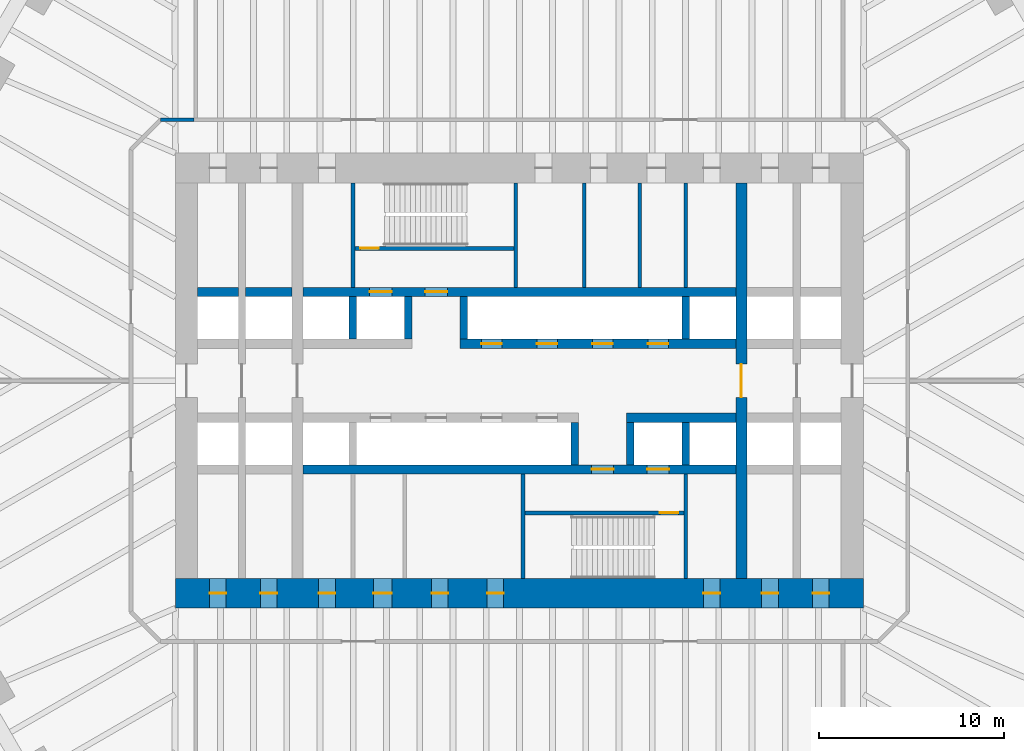
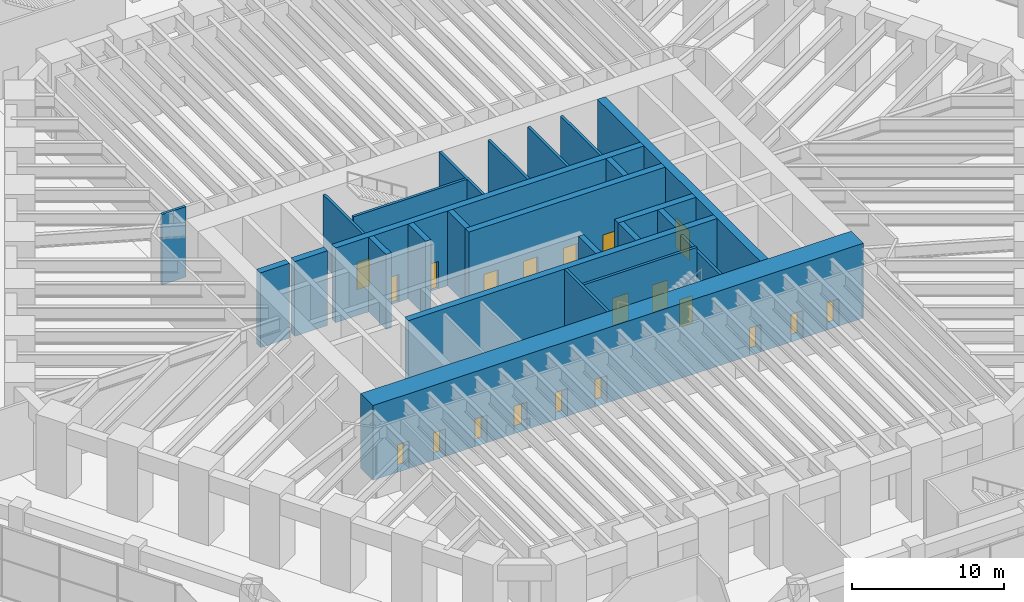
# One storey, part 27 of 31: 25 walls, 20 doors, 20 openings.
"""IFC4 building model written with IfcOpenShell, lengths in metres."""

from ifc_helpers import new_model, si_unit, direction, frame, frame_2d, origin, place, context, subcontext, project, spatial, rectangle, extrude, material, layer, layer_set, type_object, element, fill, save


model = new_model("IFC4")

# Units and contexts
model_context = context("Model", 3, precision=1e-05, world=origin(), true_north=direction((0.0, 1.0)))
body_context = subcontext(model_context, "Body", "Model", "MODEL_VIEW")
ifc_project = project(units=[si_unit("LENGTHUNIT", "METRE"), si_unit("AREAUNIT", "SQUARE_METRE"), si_unit("VOLUMEUNIT", "CUBIC_METRE"), si_unit("PLANEANGLEUNIT", "RADIAN"), si_unit("MASSUNIT", "GRAM", prefix="KILO")], contexts=[model_context])

# Site, building, storey
site_placement = place(None, origin())
site = spatial("IfcSite", under=ifc_project, at=site_placement, CompositionType="ELEMENT")
building_placement = place(site_placement, origin())
building = spatial("IfcBuilding", under=site, at=building_placement, Name="Tarfa Lantern Tower", CompositionType="ELEMENT")
storey_placement = place(building_placement, frame((0.0, 0.0, 7.0)))
storey = spatial("IfcBuildingStorey", under=building, at=storey_placement, Name="L01", CompositionType="ELEMENT", Elevation=7.0)

# Walls
ifc_material_1 = material(Name="Concrete blockwork", Category="masonry")
ifc_layer_1 = layer(ifc_material_1, 0.199951171875)
ifc_layer_set_1 = layer_set([ifc_layer_1], Name="IW1 BLOCKWORK PARTITION 200 EI 120")
wall_type_1 = type_object("IfcWallType", Name="IW1 BLOCKWORK PARTITION 200 EI 120", PredefinedType="PARTITIONING", material=ifc_layer_set_1)
for number, where, z_axis, x_axis, name in (
    (1, (-9.0, 5.050048828125, 0.0), (0.0, 0.0, 1.0), (0.0, 1.0, 0.0), "Core partition"),
    (2, (9.0, 5.050048828125, 0.0), (0.0, 0.0, 1.0), (0.0, 1.0, 0.0), "Core partition"),
    (3, (3.5, 5.050048828125, 0.0), (0.0, 0.0, 1.0), (0.0, 1.0, 0.0), "Core partition"),
    (4, (6.5, 5.050048828125, 0.0), (0.0, 0.0, 1.0), (0.0, 1.0, 0.0), "Core partition"),
    (5, (9.0, -5.050048828125, 0.0), (0.0, 0.0, 1.0), (0.0, -1.0, 0.0), "Core partition"),
):
    element("IfcWall", number, at=place(storey_placement, frame(where, z_axis=z_axis, x_axis=x_axis)), inside=storey, type_object=wall_type_1, Name=name, PredefinedType="PARTITIONING", context=body_context, shape_type="SweptSolid", body=[
        extrude(rectangle(XDim=5.64990234375, YDim=0.199951171875, at=frame_2d((2.824951171875, 0.0))), origin(), (0.0, 0.0, 1.0), 5.64990234375),
    ])
ifc_material_2 = material(Name="Gypsum board on steel studs", Category="steel")
ifc_layer_2 = layer(ifc_material_2, 0.2099609375)
ifc_layer_set_2 = layer_set([ifc_layer_2], Name="IW2 ACOUSTIC PARTITION 200")
wall_type_2 = type_object("IfcWallType", Name="IW2 ACOUSTIC PARTITION 200", PredefinedType="PARTITIONING", material=ifc_layer_set_2)
wall_1_placement = place(storey_placement, frame((-19.39990234375, 14.10009765625, 0.0), z_axis=(0.0, 0.0, 1.0), x_axis=(1.0, 0.0, 0.0)))
element("IfcWall", 6, at=wall_1_placement, inside=storey, type_object=wall_type_2, Name="Partition", PredefinedType="PARTITIONING", context=body_context, shape_type="SweptSolid", body=[
    extrude(rectangle(XDim=1.7998046875, YDim=0.199951171875, at=frame_2d((0.89990234375, 0.0))), origin(), (0.0, 0.0, 1.0), 5.64990234375),
])
ifc_material_3 = material(Name="Concrete C80/95", Category="concrete")
ifc_layer_3 = layer(ifc_material_3, 0.199951171875)
ifc_layer_set_3 = layer_set([ifc_layer_3], Name="SW12 CORE WALL 200")
wall_type_3 = type_object("IfcWallType", Name="SW12 CORE WALL 200", PredefinedType="SHEAR", material=ifc_layer_set_3)
wall_2_placement = place(storey_placement, frame((-0.199951171875, 5.050048828125, 0.0), z_axis=(0.0, 0.0, 1.0), x_axis=(0.0, 1.0, 0.0)))
element("IfcWall", 7, at=wall_2_placement, inside=storey, type_object=wall_type_3, Name="Core wall stair shaft N", PredefinedType="SHEAR", context=body_context, shape_type="SweptSolid", body=[
    extrude(rectangle(XDim=5.64990234375, YDim=0.199951171875, at=frame_2d((2.824951171875, 0.0))), origin(), (0.0, 0.0, 1.0), 6.0),
])

# Wall, opening, door
wall_3_placement = place(storey_placement, frame((-8.89990234375, 7.14990234375, 0.0), z_axis=(0.0, 0.0, 1.0), x_axis=(1.0, 0.0, 0.0)))
wall_3 = element("IfcWall", 8, at=wall_3_placement, inside=storey, type_object=wall_type_3, Name="Core wall stair partition N", PredefinedType="SHEAR", context=body_context, shape_type="SweptSolid", body=[
    extrude(rectangle(XDim=8.599853515625, YDim=0.199951171875, at=frame_2d((4.2998046875, 0.0))), origin(), (0.0, 0.0, 1.0), 6.0),
])
opening_1_placement = place(wall_3_placement, frame((0.300048828125, 0.0, 0.0)))
opening_1 = element("IfcOpeningElement", 9, at=opening_1_placement, cuts=wall_3, Name="Opening D23", PredefinedType="OPENING", context=body_context, shape_type="SweptSolid", body=[
    extrude(rectangle(XDim=1.0, YDim=2.199951171875, at=frame_2d((0.5, 1.10009765625))), frame((0.0, 0.10986328125, 0.0), z_axis=(0.0, -1.0, 0.0), x_axis=(1.0, 0.0, 0.0)), (0.0, 0.0, 1.0), 0.219970703125),
])
ifc_material_4 = material(Name="Steel fire door", Category="steel")
door_type_1 = type_object("IfcDoorType", Name="DF2 STAIR DOOR 1000x2200", OperationType="SINGLE_SWING_LEFT", PredefinedType="DOOR", material=ifc_material_4)
door_1_placement = place(opening_1_placement, origin())
door_1 = element("IfcDoor", 10, at=door_1_placement, inside=storey, type_object=door_type_1, Name="Stair door", OperationType="SINGLE_SWING_RIGHT", OverallHeight=2.199951171875, OverallWidth=1.0, PredefinedType="DOOR", context=body_context, shape_type="SweptSolid", body=[
    extrude(rectangle(XDim=1.0, YDim=2.199951171875, at=frame_2d((0.5, 1.10009765625))), frame((0.0, 0.02490234375, 0.0), z_axis=(0.0, -1.0, 0.0), x_axis=(1.0, 0.0, 0.0)), (0.0, 0.0, 1.0), 0.050048828125),
])
fill(opening_1, door_1)

# Wall
wall_4_placement = place(storey_placement, frame((0.199951171875, -5.050048828125, 0.0), z_axis=(0.0, 0.0, 1.0), x_axis=(0.0, -1.0, 0.0)))
element("IfcWall", 11, at=wall_4_placement, inside=storey, type_object=wall_type_3, Name="Core wall stair shaft S", PredefinedType="SHEAR", context=body_context, shape_type="SweptSolid", body=[
    extrude(rectangle(XDim=5.64990234375, YDim=0.199951171875, at=frame_2d((2.824951171875, 0.0))), origin(), (0.0, 0.0, 1.0), 6.0),
])

# Wall, opening, door
wall_5_placement = place(storey_placement, frame((8.89990234375, -7.14990234375, 0.0), z_axis=(0.0, 0.0, 1.0), x_axis=(-1.0, 0.0, 0.0)))
wall_5 = element("IfcWall", 12, at=wall_5_placement, inside=storey, type_object=wall_type_3, Name="Core wall stair partition S", PredefinedType="SHEAR", context=body_context, shape_type="SweptSolid", body=[
    extrude(rectangle(XDim=8.599853515625, YDim=0.199951171875, at=frame_2d((4.2998046875, 0.0))), origin(), (0.0, 0.0, 1.0), 6.0),
])
opening_2_placement = place(wall_5_placement, frame((0.300048828125, 0.0, 0.0)))
opening_2 = element("IfcOpeningElement", 13, at=opening_2_placement, cuts=wall_5, Name="Opening D24", PredefinedType="OPENING", context=body_context, shape_type="SweptSolid", body=[
    extrude(rectangle(XDim=1.0, YDim=2.199951171875, at=frame_2d((0.5, 1.10009765625))), frame((0.0, 0.10986328125, 0.0), z_axis=(0.0, -1.0, 0.0), x_axis=(1.0, 0.0, 0.0)), (0.0, 0.0, 1.0), 0.219970703125),
])
door_2_placement = place(opening_2_placement, origin())
door_2 = element("IfcDoor", 14, at=door_2_placement, inside=storey, type_object=door_type_1, Name="Stair door", OperationType="SINGLE_SWING_RIGHT", OverallHeight=2.199951171875, OverallWidth=1.0, PredefinedType="DOOR", context=body_context, shape_type="SweptSolid", body=[
    extrude(rectangle(XDim=1.0, YDim=2.199951171875, at=frame_2d((0.5, 1.10009765625))), frame((0.0, 0.02490234375, 0.0), z_axis=(0.0, -1.0, 0.0), x_axis=(1.0, 0.0, 0.0)), (0.0, 0.0, 1.0), 0.050048828125),
])
fill(opening_2, door_2)

# Wall, openings, doors
ifc_layer_4 = layer(ifc_material_3, 0.5)
ifc_layer_set_4 = layer_set([ifc_layer_4], Name="SW5 CORE WALL 500")
wall_type_4 = type_object("IfcWallType", Name="SW5 CORE WALL 500", PredefinedType="SHEAR", material=ifc_layer_set_4)
wall_6_placement = place(storey_placement, frame((-3.199951171875, 2.0, 0.0), z_axis=(0.0, 0.0, 1.0), x_axis=(1.0, 0.0, 0.0)))
wall_6 = element("IfcWall", 15, at=wall_6_placement, inside=storey, type_object=wall_type_4, Name="Core wall lobby east N", PredefinedType="SHEAR", context=body_context, shape_type="SweptSolid", body=[
    extrude(rectangle(XDim=14.89990234375, YDim=0.5, at=frame_2d((7.449951171875, 0.0))), origin(), (0.0, 0.0, 1.0), 6.0),
])
opening_3_placement = place(wall_6_placement, frame((1.14990234375, 0.0, 0.0)))
opening_3 = element("IfcOpeningElement", 16, at=opening_3_placement, cuts=wall_6, Name="Opening LD03", PredefinedType="OPENING", context=body_context, shape_type="SweptSolid", body=[
    extrude(rectangle(XDim=1.10009765625, YDim=2.199951171875, at=frame_2d((0.550048828125, 1.10009765625))), frame((0.0, 0.260009765625, 0.0), z_axis=(0.0, -1.0, 0.0), x_axis=(1.0, 0.0, 0.0)), (0.0, 0.0, 1.0), 0.52001953125),
])
opening_4_placement = place(wall_6_placement, frame((4.14990234375, 0.0, 0.0)))
opening_4 = element("IfcOpeningElement", 17, at=opening_4_placement, cuts=wall_6, Name="Opening LD04", PredefinedType="OPENING", context=body_context, shape_type="SweptSolid", body=[
    extrude(rectangle(XDim=1.10009765625, YDim=2.199951171875, at=frame_2d((0.550048828125, 1.10009765625))), frame((0.0, 0.260009765625, 0.0), z_axis=(0.0, -1.0, 0.0), x_axis=(1.0, 0.0, 0.0)), (0.0, 0.0, 1.0), 0.52001953125),
])
opening_5_placement = place(wall_6_placement, frame((7.14990234375, 0.0, 0.0)))
opening_5 = element("IfcOpeningElement", 18, at=opening_5_placement, cuts=wall_6, Name="Opening LD05", PredefinedType="OPENING", context=body_context, shape_type="SweptSolid", body=[
    extrude(rectangle(XDim=1.10009765625, YDim=2.199951171875, at=frame_2d((0.550048828125, 1.10009765625))), frame((0.0, 0.260009765625, 0.0), z_axis=(0.0, -1.0, 0.0), x_axis=(1.0, 0.0, 0.0)), (0.0, 0.0, 1.0), 0.52001953125),
])
opening_6_placement = place(wall_6_placement, frame((10.14990234375, 0.0, 0.0)))
opening_6 = element("IfcOpeningElement", 19, at=opening_6_placement, cuts=wall_6, Name="Opening LD06", PredefinedType="OPENING", context=body_context, shape_type="SweptSolid", body=[
    extrude(rectangle(XDim=1.10009765625, YDim=2.199951171875, at=frame_2d((0.550048828125, 1.10009765625))), frame((0.0, 0.260009765625, 0.0), z_axis=(0.0, -1.0, 0.0), x_axis=(1.0, 0.0, 0.0)), (0.0, 0.0, 1.0), 0.52001953125),
])
ifc_material_5 = material(Name="Stainless steel lift door", Category="steel")
door_type_2 = type_object("IfcDoorType", Name="LD2 LIFT LANDING DOOR 1100x2200", OperationType="SLIDING_TO_LEFT", PredefinedType="DOOR", material=ifc_material_5)
door_3_placement = place(opening_3_placement, frame((1.10009765625, 0.0, 0.0), z_axis=(0.0, 0.0, 1.0), x_axis=(-1.0, 0.0, 0.0)))
door_3 = element("IfcDoor", 20, at=door_3_placement, inside=storey, type_object=door_type_2, Name="Landing door PA1", OperationType="SLIDING_TO_LEFT", OverallHeight=2.199951171875, OverallWidth=1.10009765625, PredefinedType="DOOR", context=body_context, shape_type="SweptSolid", body=[
    extrude(rectangle(XDim=1.10009765625, YDim=2.199951171875, at=frame_2d((0.550048828125, 1.10009765625))), frame((0.0, 0.02490234375, 0.0), z_axis=(0.0, -1.0, 0.0), x_axis=(1.0, 0.0, 0.0)), (0.0, 0.0, 1.0), 0.050048828125),
])
fill(opening_3, door_3)
door_4_placement = place(opening_4_placement, frame((1.10009765625, 0.0, 0.0), z_axis=(0.0, 0.0, 1.0), x_axis=(-1.0, 0.0, 0.0)))
door_4 = element("IfcDoor", 21, at=door_4_placement, inside=storey, type_object=door_type_2, Name="Landing door PA2", OperationType="SLIDING_TO_LEFT", OverallHeight=2.199951171875, OverallWidth=1.10009765625, PredefinedType="DOOR", context=body_context, shape_type="SweptSolid", body=[
    extrude(rectangle(XDim=1.10009765625, YDim=2.199951171875, at=frame_2d((0.550048828125, 1.10009765625))), frame((0.0, 0.02490234375, 0.0), z_axis=(0.0, -1.0, 0.0), x_axis=(1.0, 0.0, 0.0)), (0.0, 0.0, 1.0), 0.050048828125),
])
fill(opening_4, door_4)
door_5_placement = place(opening_5_placement, frame((1.10009765625, 0.0, 0.0), z_axis=(0.0, 0.0, 1.0), x_axis=(-1.0, 0.0, 0.0)))
door_5 = element("IfcDoor", 22, at=door_5_placement, inside=storey, type_object=door_type_2, Name="Landing door PA3", OperationType="SLIDING_TO_LEFT", OverallHeight=2.199951171875, OverallWidth=1.10009765625, PredefinedType="DOOR", context=body_context, shape_type="SweptSolid", body=[
    extrude(rectangle(XDim=1.10009765625, YDim=2.199951171875, at=frame_2d((0.550048828125, 1.10009765625))), frame((0.0, 0.02490234375, 0.0), z_axis=(0.0, -1.0, 0.0), x_axis=(1.0, 0.0, 0.0)), (0.0, 0.0, 1.0), 0.050048828125),
])
fill(opening_5, door_5)
door_6_placement = place(opening_6_placement, frame((1.10009765625, 0.0, 0.0), z_axis=(0.0, 0.0, 1.0), x_axis=(-1.0, 0.0, 0.0)))
door_6 = element("IfcDoor", 23, at=door_6_placement, inside=storey, type_object=door_type_2, Name="Landing door PA4", OperationType="SLIDING_TO_LEFT", OverallHeight=2.199951171875, OverallWidth=1.10009765625, PredefinedType="DOOR", context=body_context, shape_type="SweptSolid", body=[
    extrude(rectangle(XDim=1.10009765625, YDim=2.199951171875, at=frame_2d((0.550048828125, 1.10009765625))), frame((0.0, 0.02490234375, 0.0), z_axis=(0.0, -1.0, 0.0), x_axis=(1.0, 0.0, 0.0)), (0.0, 0.0, 1.0), 0.050048828125),
])
fill(opening_6, door_6)

# Walls
wall_7_placement = place(storey_placement, frame((-17.39990234375, 4.800048828125, 0.0), z_axis=(0.0, 0.0, 1.0), x_axis=(1.0, 0.0, 0.0)))
element("IfcWall", 24, at=wall_7_placement, inside=storey, type_object=wall_type_4, Name="Core wall rear N", PredefinedType="SHEAR", context=body_context, shape_type="SweptSolid", body=[
    extrude(rectangle(XDim=2.199951171875, YDim=0.5, at=frame_2d((1.10009765625, 0.0))), origin(), (0.0, 0.0, 1.0), 6.0),
])
wall_8_placement = place(storey_placement, frame((-14.800048828125, 4.800048828125, 0.0), z_axis=(0.0, 0.0, 1.0), x_axis=(1.0, 0.0, 0.0)))
element("IfcWall", 25, at=wall_8_placement, inside=storey, type_object=wall_type_4, Name="Core wall rear N", PredefinedType="SHEAR", context=body_context, shape_type="SweptSolid", body=[
    extrude(rectangle(XDim=2.5, YDim=0.5, at=frame_2d((1.25, 0.0))), origin(), (0.0, 0.0, 1.0), 6.0),
])

# Wall, openings, doors
wall_9_placement = place(storey_placement, frame((-11.699951171875, 4.800048828125, 0.0), z_axis=(0.0, 0.0, 1.0), x_axis=(1.0, 0.0, 0.0)))
wall_9 = element("IfcWall", 26, at=wall_9_placement, inside=storey, type_object=wall_type_4, Name="Core wall rear N", PredefinedType="SHEAR", context=body_context, shape_type="SweptSolid", body=[
    extrude(rectangle(XDim=23.39990234375, YDim=0.5, at=frame_2d((11.699951171875, 0.0))), origin(), (0.0, 0.0, 1.0), 6.0),
])
opening_7_placement = place(wall_9_placement, frame((6.60009765625, 0.0, 0.0)))
opening_7 = element("IfcOpeningElement", 27, at=opening_7_placement, cuts=wall_9, Name="Opening D13", PredefinedType="OPENING", context=body_context, shape_type="SweptSolid", body=[
    extrude(rectangle(XDim=1.199951171875, YDim=2.199951171875, at=frame_2d((0.60009765625, 1.10009765625))), frame((0.0, 0.260009765625, 0.0), z_axis=(0.0, -1.0, 0.0), x_axis=(1.0, 0.0, 0.0)), (0.0, 0.0, 1.0), 0.52001953125),
])
opening_8_placement = place(wall_9_placement, frame((3.60009765625, 0.0, 0.0)))
opening_8 = element("IfcOpeningElement", 28, at=opening_8_placement, cuts=wall_9, Name="Opening LD01", PredefinedType="OPENING", context=body_context, shape_type="SweptSolid", body=[
    extrude(rectangle(XDim=1.199951171875, YDim=2.199951171875, at=frame_2d((0.60009765625, 1.10009765625))), frame((0.0, 0.260009765625, 0.0), z_axis=(0.0, -1.0, 0.0), x_axis=(1.0, 0.0, 0.0)), (0.0, 0.0, 1.0), 0.52001953125),
])
door_type_3 = type_object("IfcDoorType", Name="DF1 FIREFIGHTING LOBBY DOOR 1200x2200", OperationType="SINGLE_SWING_LEFT", PredefinedType="DOOR", material=ifc_material_4)
door_7_placement = place(opening_7_placement, origin())
door_7 = element("IfcDoor", 29, at=door_7_placement, inside=storey, type_object=door_type_3, Name="Firefighting lobby door", OperationType="SINGLE_SWING_LEFT", OverallHeight=2.199951171875, OverallWidth=1.199951171875, PredefinedType="DOOR", context=body_context, shape_type="SweptSolid", body=[
    extrude(rectangle(XDim=1.199951171875, YDim=2.199951171875, at=frame_2d((0.60009765625, 1.10009765625))), frame((0.0, 0.02490234375, 0.0), z_axis=(0.0, -1.0, 0.0), x_axis=(1.0, 0.0, 0.0)), (0.0, 0.0, 1.0), 0.050048828125),
])
fill(opening_7, door_7)
door_type_4 = type_object("IfcDoorType", Name="LD1 LIFT LANDING DOOR 1200x2200", OperationType="SLIDING_TO_LEFT", PredefinedType="DOOR", material=ifc_material_5)
door_8_placement = place(opening_8_placement, origin())
door_8 = element("IfcDoor", 30, at=door_8_placement, inside=storey, type_object=door_type_4, Name="Landing door FL1", OperationType="SLIDING_TO_LEFT", OverallHeight=2.199951171875, OverallWidth=1.199951171875, PredefinedType="DOOR", context=body_context, shape_type="SweptSolid", body=[
    extrude(rectangle(XDim=1.199951171875, YDim=2.199951171875, at=frame_2d((0.60009765625, 1.10009765625))), frame((0.0, 0.02490234375, 0.0), z_axis=(0.0, -1.0, 0.0), x_axis=(1.0, 0.0, 0.0)), (0.0, 0.0, 1.0), 0.050048828125),
])
fill(opening_8, door_8)

# Wall
wall_10_placement = place(storey_placement, frame((11.699951171875, -2.0, 0.0), z_axis=(0.0, 0.0, 1.0), x_axis=(-1.0, 0.0, 0.0)))
element("IfcWall", 31, at=wall_10_placement, inside=storey, type_object=wall_type_4, Name="Core wall lobby west S", PredefinedType="SHEAR", context=body_context, shape_type="SweptSolid", body=[
    extrude(rectangle(XDim=5.89990234375, YDim=0.5, at=frame_2d((2.949951171875, 0.0))), origin(), (0.0, 0.0, 1.0), 6.0),
])

# Wall, openings, doors
wall_11_placement = place(storey_placement, frame((11.699951171875, -4.800048828125, 0.0), z_axis=(0.0, 0.0, 1.0), x_axis=(-1.0, 0.0, 0.0)))
wall_11 = element("IfcWall", 32, at=wall_11_placement, inside=storey, type_object=wall_type_4, Name="Core wall rear S", PredefinedType="SHEAR", context=body_context, shape_type="SweptSolid", body=[
    extrude(rectangle(XDim=23.39990234375, YDim=0.5, at=frame_2d((11.699951171875, 0.0))), origin(), (0.0, 0.0, 1.0), 6.0),
])
opening_9_placement = place(wall_11_placement, frame((6.60009765625, 0.0, 0.0)))
opening_9 = element("IfcOpeningElement", 33, at=opening_9_placement, cuts=wall_11, Name="Opening D14", PredefinedType="OPENING", context=body_context, shape_type="SweptSolid", body=[
    extrude(rectangle(XDim=1.199951171875, YDim=2.199951171875, at=frame_2d((0.60009765625, 1.10009765625))), frame((0.0, 0.260009765625, 0.0), z_axis=(0.0, -1.0, 0.0), x_axis=(1.0, 0.0, 0.0)), (0.0, 0.0, 1.0), 0.52001953125),
])
opening_10_placement = place(wall_11_placement, frame((3.60009765625, 0.0, 0.0)))
opening_10 = element("IfcOpeningElement", 34, at=opening_10_placement, cuts=wall_11, Name="Opening LD02", PredefinedType="OPENING", context=body_context, shape_type="SweptSolid", body=[
    extrude(rectangle(XDim=1.199951171875, YDim=2.199951171875, at=frame_2d((0.60009765625, 1.10009765625))), frame((0.0, 0.260009765625, 0.0), z_axis=(0.0, -1.0, 0.0), x_axis=(1.0, 0.0, 0.0)), (0.0, 0.0, 1.0), 0.52001953125),
])
door_9_placement = place(opening_9_placement, origin())
door_9 = element("IfcDoor", 35, at=door_9_placement, inside=storey, type_object=door_type_3, Name="Firefighting lobby door", OperationType="SINGLE_SWING_LEFT", OverallHeight=2.199951171875, OverallWidth=1.199951171875, PredefinedType="DOOR", context=body_context, shape_type="SweptSolid", body=[
    extrude(rectangle(XDim=1.199951171875, YDim=2.199951171875, at=frame_2d((0.60009765625, 1.10009765625))), frame((0.0, 0.02490234375, 0.0), z_axis=(0.0, -1.0, 0.0), x_axis=(1.0, 0.0, 0.0)), (0.0, 0.0, 1.0), 0.050048828125),
])
fill(opening_9, door_9)
door_10_placement = place(opening_10_placement, origin())
door_10 = element("IfcDoor", 36, at=door_10_placement, inside=storey, type_object=door_type_4, Name="Landing door FL2", OperationType="SLIDING_TO_LEFT", OverallHeight=2.199951171875, OverallWidth=1.199951171875, PredefinedType="DOOR", context=body_context, shape_type="SweptSolid", body=[
    extrude(rectangle(XDim=1.199951171875, YDim=2.199951171875, at=frame_2d((0.60009765625, 1.10009765625))), frame((0.0, 0.02490234375, 0.0), z_axis=(0.0, -1.0, 0.0), x_axis=(1.0, 0.0, 0.0)), (0.0, 0.0, 1.0), 0.050048828125),
])
fill(opening_10, door_10)

# Walls
ifc_layer_5 = layer(ifc_material_3, 0.39990234375)
ifc_layer_set_5 = layer_set([ifc_layer_5], Name="SW6 CORE WALL 400")
wall_type_5 = type_object("IfcWallType", Name="SW6 CORE WALL 400", PredefinedType="SHEAR", material=ifc_layer_set_5)
for number, where, z_axis, x_axis, name in (
    (37, (-9.0, 2.25, 0.0), (0.0, 0.0, 1.0), (0.0, 1.0, 0.0), "Core wall divider N"),
    (38, (-6.0, 2.25, 0.0), (0.0, 0.0, 1.0), (0.0, 1.0, 0.0), "Core wall divider N"),
    (39, (-3.0, 2.25, 0.0), (0.0, 0.0, 1.0), (0.0, 1.0, 0.0), "Core wall divider N"),
    (40, (9.0, 2.25, 0.0), (0.0, 0.0, 1.0), (0.0, 1.0, 0.0), "Core wall divider N"),
    (41, (9.0, -2.25, 0.0), (0.0, 0.0, 1.0), (0.0, -1.0, 0.0), "Core wall divider S"),
    (42, (6.0, -2.25, 0.0), (0.0, 0.0, 1.0), (0.0, -1.0, 0.0), "Core wall divider S"),
    (43, (3.0, -2.25, 0.0), (0.0, 0.0, 1.0), (0.0, -1.0, 0.0), "Core wall divider S"),
):
    element("IfcWall", number, at=place(storey_placement, frame(where, z_axis=z_axis, x_axis=x_axis)), inside=storey, type_object=wall_type_5, Name=name, PredefinedType="SHEAR", context=body_context, shape_type="SweptSolid", body=[
        extrude(rectangle(XDim=2.300048828125, YDim=0.39990234375, at=frame_2d((1.14990234375, 0.0))), origin(), (0.0, 0.0, 1.0), 6.0),
    ])

# Wall, openings, doors
ifc_layer_6 = layer(ifc_material_3, 1.60009765625)
ifc_layer_set_6 = layer_set([ifc_layer_6], Name="SW7 CORE WALL 1600")
wall_type_6 = type_object("IfcWallType", Name="SW7 CORE WALL 1600", PredefinedType="SHEAR", material=ifc_layer_set_6)
wall_12_placement = place(storey_placement, frame((18.60009765625, -11.5, 0.0), z_axis=(0.0, 0.0, 1.0), x_axis=(-1.0, 0.0, 0.0)))
wall_12 = element("IfcWall", 44, at=wall_12_placement, inside=storey, type_object=wall_type_6, Name="Core wall S", PredefinedType="SHEAR", context=body_context, shape_type="SweptSolid", body=[
    extrude(rectangle(XDim=37.2001953125, YDim=1.60009765625, at=frame_2d((18.60009765625, 0.0))), origin(), (0.0, 0.0, 1.0), 6.0),
])
opening_11_placement = place(wall_12_placement, frame((19.449951171875, 0.0, 0.0)))
opening_11 = element("IfcOpeningElement", 45, at=opening_11_placement, cuts=wall_12, Name="Opening D18", PredefinedType="OPENING", context=body_context, shape_type="SweptSolid", body=[
    extrude(rectangle(XDim=0.89990234375, YDim=2.199951171875, at=frame_2d((0.449951171875, 1.10009765625))), frame((0.0, 0.81005859375, 0.0), z_axis=(0.0, -1.0, 0.0), x_axis=(1.0, 0.0, 0.0)), (0.0, 0.0, 1.0), 1.6201171875),
])
opening_12_placement = place(wall_12_placement, frame((22.449951171875, 0.0, 0.0)))
opening_12 = element("IfcOpeningElement", 46, at=opening_12_placement, cuts=wall_12, Name="Opening D20", PredefinedType="OPENING", context=body_context, shape_type="SweptSolid", body=[
    extrude(rectangle(XDim=0.89990234375, YDim=2.199951171875, at=frame_2d((0.449951171875, 1.10009765625))), frame((0.0, 0.81005859375, 0.0), z_axis=(0.0, -1.0, 0.0), x_axis=(1.0, 0.0, 0.0)), (0.0, 0.0, 1.0), 1.6201171875),
])
opening_13_placement = place(wall_12_placement, frame((25.5, 0.0, 0.0)))
opening_13 = element("IfcOpeningElement", 47, at=opening_13_placement, cuts=wall_12, Name="Opening D22", PredefinedType="OPENING", context=body_context, shape_type="SweptSolid", body=[
    extrude(rectangle(XDim=1.0, YDim=2.199951171875, at=frame_2d((0.5, 1.10009765625))), frame((0.0, 0.81005859375, 0.0), z_axis=(0.0, -1.0, 0.0), x_axis=(1.0, 0.0, 0.0)), (0.0, 0.0, 1.0), 1.6201171875),
])
opening_14_placement = place(wall_12_placement, frame((1.85009765625, 0.0, 0.0)))
opening_14 = element("IfcOpeningElement", 48, at=opening_14_placement, cuts=wall_12, Name="Opening D12", PredefinedType="OPENING", context=body_context, shape_type="SweptSolid", body=[
    extrude(rectangle(XDim=0.89990234375, YDim=2.199951171875, at=frame_2d((0.449951171875, 1.10009765625))), frame((0.0, 0.81005859375, 0.0), z_axis=(0.0, -1.0, 0.0), x_axis=(1.0, 0.0, 0.0)), (0.0, 0.0, 1.0), 1.6201171875),
])
opening_15_placement = place(wall_12_placement, frame((4.60009765625, 0.0, 0.0)))
opening_15 = element("IfcOpeningElement", 49, at=opening_15_placement, cuts=wall_12, Name="Opening D08", PredefinedType="OPENING", context=body_context, shape_type="SweptSolid", body=[
    extrude(rectangle(XDim=0.89990234375, YDim=2.199951171875, at=frame_2d((0.449951171875, 1.10009765625))), frame((0.0, 0.81005859375, 0.0), z_axis=(0.0, -1.0, 0.0), x_axis=(1.0, 0.0, 0.0)), (0.0, 0.0, 1.0), 1.6201171875),
])
opening_16_placement = place(wall_12_placement, frame((7.75, 0.0, 0.0)))
opening_16 = element("IfcOpeningElement", 50, at=opening_16_placement, cuts=wall_12, Name="Opening D10", PredefinedType="OPENING", context=body_context, shape_type="SweptSolid", body=[
    extrude(rectangle(XDim=0.89990234375, YDim=2.199951171875, at=frame_2d((0.449951171875, 1.10009765625))), frame((0.0, 0.81005859375, 0.0), z_axis=(0.0, -1.0, 0.0), x_axis=(1.0, 0.0, 0.0)), (0.0, 0.0, 1.0), 1.6201171875),
])
opening_17_placement = place(wall_12_placement, frame((28.550048828125, 0.0, 0.0)))
opening_17 = element("IfcOpeningElement", 51, at=opening_17_placement, cuts=wall_12, Name="Opening D06", PredefinedType="OPENING", context=body_context, shape_type="SweptSolid", body=[
    extrude(rectangle(XDim=0.89990234375, YDim=2.199951171875, at=frame_2d((0.449951171875, 1.10009765625))), frame((0.0, 0.81005859375, 0.0), z_axis=(0.0, -1.0, 0.0), x_axis=(1.0, 0.0, 0.0)), (0.0, 0.0, 1.0), 1.6201171875),
])
opening_18_placement = place(wall_12_placement, frame((31.699951171875, 0.0, 0.0)))
opening_18 = element("IfcOpeningElement", 52, at=opening_18_placement, cuts=wall_12, Name="Opening D02", PredefinedType="OPENING", context=body_context, shape_type="SweptSolid", body=[
    extrude(rectangle(XDim=0.89990234375, YDim=2.199951171875, at=frame_2d((0.449951171875, 1.10009765625))), frame((0.0, 0.81005859375, 0.0), z_axis=(0.0, -1.0, 0.0), x_axis=(1.0, 0.0, 0.0)), (0.0, 0.0, 1.0), 1.6201171875),
])
opening_19_placement = place(wall_12_placement, frame((34.449951171875, 0.0, 0.0)))
opening_19 = element("IfcOpeningElement", 53, at=opening_19_placement, cuts=wall_12, Name="Opening D04", PredefinedType="OPENING", context=body_context, shape_type="SweptSolid", body=[
    extrude(rectangle(XDim=0.89990234375, YDim=2.199951171875, at=frame_2d((0.449951171875, 1.10009765625))), frame((0.0, 0.81005859375, 0.0), z_axis=(0.0, -1.0, 0.0), x_axis=(1.0, 0.0, 0.0)), (0.0, 0.0, 1.0), 1.6201171875),
])
door_type_5 = type_object("IfcDoorType", Name="DF3 CORE ROOM DOOR 900x2200", OperationType="SINGLE_SWING_LEFT", PredefinedType="DOOR", material=ifc_material_4)
door_11_placement = place(opening_11_placement, frame((0.89990234375, 0.0, 0.0), z_axis=(0.0, 0.0, 1.0), x_axis=(-1.0, 0.0, 0.0)))
door_11 = element("IfcDoor", 54, at=door_11_placement, inside=storey, type_object=door_type_5, Name="Core door", OperationType="SINGLE_SWING_LEFT", OverallHeight=2.199951171875, OverallWidth=0.89990234375, PredefinedType="DOOR", context=body_context, shape_type="SweptSolid", body=[
    extrude(rectangle(XDim=0.89990234375, YDim=2.199951171875, at=frame_2d((0.449951171875, 1.10009765625))), frame((0.0, 0.02490234375, 0.0), z_axis=(0.0, -1.0, 0.0), x_axis=(1.0, 0.0, 0.0)), (0.0, 0.0, 1.0), 0.050048828125),
])
fill(opening_11, door_11)
door_12_placement = place(opening_12_placement, frame((0.89990234375, 0.0, 0.0), z_axis=(0.0, 0.0, 1.0), x_axis=(-1.0, 0.0, 0.0)))
door_12 = element("IfcDoor", 55, at=door_12_placement, inside=storey, type_object=door_type_5, Name="Core door", OperationType="SINGLE_SWING_RIGHT", OverallHeight=2.199951171875, OverallWidth=0.89990234375, PredefinedType="DOOR", context=body_context, shape_type="SweptSolid", body=[
    extrude(rectangle(XDim=0.89990234375, YDim=2.199951171875, at=frame_2d((0.449951171875, 1.10009765625))), frame((0.0, 0.02490234375, 0.0), z_axis=(0.0, -1.0, 0.0), x_axis=(1.0, 0.0, 0.0)), (0.0, 0.0, 1.0), 0.050048828125),
])
fill(opening_12, door_12)
door_type_6 = type_object("IfcDoorType", Name="DF4 CORE ROOM DOOR 1000x2200", OperationType="SINGLE_SWING_LEFT", PredefinedType="DOOR", material=ifc_material_4)
door_13_placement = place(opening_13_placement, frame((1.0, 0.0, 0.0), z_axis=(0.0, 0.0, 1.0), x_axis=(-1.0, 0.0, 0.0)))
door_13 = element("IfcDoor", 56, at=door_13_placement, inside=storey, type_object=door_type_6, Name="Core door", OperationType="SINGLE_SWING_LEFT", OverallHeight=2.199951171875, OverallWidth=1.0, PredefinedType="DOOR", context=body_context, shape_type="SweptSolid", body=[
    extrude(rectangle(XDim=1.0, YDim=2.199951171875, at=frame_2d((0.5, 1.10009765625))), frame((0.0, 0.02490234375, 0.0), z_axis=(0.0, -1.0, 0.0), x_axis=(1.0, 0.0, 0.0)), (0.0, 0.0, 1.0), 0.050048828125),
])
fill(opening_13, door_13)
door_type_7 = type_object("IfcDoorType", Name="DF5 RISER DOOR 900x2200", OperationType="SINGLE_SWING_LEFT", PredefinedType="DOOR", material=ifc_material_4)
door_14_placement = place(opening_14_placement, frame((0.89990234375, 0.0, 0.0), z_axis=(0.0, 0.0, 1.0), x_axis=(-1.0, 0.0, 0.0)))
door_14 = element("IfcDoor", 57, at=door_14_placement, inside=storey, type_object=door_type_7, Name="Riser door", OperationType="SINGLE_SWING_LEFT", OverallHeight=2.199951171875, OverallWidth=0.89990234375, PredefinedType="DOOR", context=body_context, shape_type="SweptSolid", body=[
    extrude(rectangle(XDim=0.89990234375, YDim=2.199951171875, at=frame_2d((0.449951171875, 1.10009765625))), frame((0.0, 0.02490234375, 0.0), z_axis=(0.0, -1.0, 0.0), x_axis=(1.0, 0.0, 0.0)), (0.0, 0.0, 1.0), 0.050048828125),
])
fill(opening_14, door_14)
door_15_placement = place(opening_15_placement, frame((0.89990234375, 0.0, 0.0), z_axis=(0.0, 0.0, 1.0), x_axis=(-1.0, 0.0, 0.0)))
door_15 = element("IfcDoor", 58, at=door_15_placement, inside=storey, type_object=door_type_7, Name="Riser door", OperationType="SINGLE_SWING_LEFT", OverallHeight=2.199951171875, OverallWidth=0.89990234375, PredefinedType="DOOR", context=body_context, shape_type="SweptSolid", body=[
    extrude(rectangle(XDim=0.89990234375, YDim=2.199951171875, at=frame_2d((0.449951171875, 1.10009765625))), frame((0.0, 0.02490234375, 0.0), z_axis=(0.0, -1.0, 0.0), x_axis=(1.0, 0.0, 0.0)), (0.0, 0.0, 1.0), 0.050048828125),
])
fill(opening_15, door_15)
door_16_placement = place(opening_16_placement, frame((0.89990234375, 0.0, 0.0), z_axis=(0.0, 0.0, 1.0), x_axis=(-1.0, 0.0, 0.0)))
door_16 = element("IfcDoor", 59, at=door_16_placement, inside=storey, type_object=door_type_7, Name="Riser door", OperationType="SINGLE_SWING_LEFT", OverallHeight=2.199951171875, OverallWidth=0.89990234375, PredefinedType="DOOR", context=body_context, shape_type="SweptSolid", body=[
    extrude(rectangle(XDim=0.89990234375, YDim=2.199951171875, at=frame_2d((0.449951171875, 1.10009765625))), frame((0.0, 0.02490234375, 0.0), z_axis=(0.0, -1.0, 0.0), x_axis=(1.0, 0.0, 0.0)), (0.0, 0.0, 1.0), 0.050048828125),
])
fill(opening_16, door_16)
door_17_placement = place(opening_17_placement, frame((0.89990234375, 0.0, 0.0), z_axis=(0.0, 0.0, 1.0), x_axis=(-1.0, 0.0, 0.0)))
door_17 = element("IfcDoor", 60, at=door_17_placement, inside=storey, type_object=door_type_7, Name="Riser door", OperationType="SINGLE_SWING_RIGHT", OverallHeight=2.199951171875, OverallWidth=0.89990234375, PredefinedType="DOOR", context=body_context, shape_type="SweptSolid", body=[
    extrude(rectangle(XDim=0.89990234375, YDim=2.199951171875, at=frame_2d((0.449951171875, 1.10009765625))), frame((0.0, 0.02490234375, 0.0), z_axis=(0.0, -1.0, 0.0), x_axis=(1.0, 0.0, 0.0)), (0.0, 0.0, 1.0), 0.050048828125),
])
fill(opening_17, door_17)
door_18_placement = place(opening_18_placement, frame((0.89990234375, 0.0, 0.0), z_axis=(0.0, 0.0, 1.0), x_axis=(-1.0, 0.0, 0.0)))
door_18 = element("IfcDoor", 61, at=door_18_placement, inside=storey, type_object=door_type_7, Name="Riser door", OperationType="SINGLE_SWING_RIGHT", OverallHeight=2.199951171875, OverallWidth=0.89990234375, PredefinedType="DOOR", context=body_context, shape_type="SweptSolid", body=[
    extrude(rectangle(XDim=0.89990234375, YDim=2.199951171875, at=frame_2d((0.449951171875, 1.10009765625))), frame((0.0, 0.02490234375, 0.0), z_axis=(0.0, -1.0, 0.0), x_axis=(1.0, 0.0, 0.0)), (0.0, 0.0, 1.0), 0.050048828125),
])
fill(opening_18, door_18)
door_19_placement = place(opening_19_placement, frame((0.89990234375, 0.0, 0.0), z_axis=(0.0, 0.0, 1.0), x_axis=(-1.0, 0.0, 0.0)))
door_19 = element("IfcDoor", 62, at=door_19_placement, inside=storey, type_object=door_type_7, Name="Riser door", OperationType="SINGLE_SWING_RIGHT", OverallHeight=2.199951171875, OverallWidth=0.89990234375, PredefinedType="DOOR", context=body_context, shape_type="SweptSolid", body=[
    extrude(rectangle(XDim=0.89990234375, YDim=2.199951171875, at=frame_2d((0.449951171875, 1.10009765625))), frame((0.0, 0.02490234375, 0.0), z_axis=(0.0, -1.0, 0.0), x_axis=(1.0, 0.0, 0.0)), (0.0, 0.0, 1.0), 0.050048828125),
])
fill(opening_19, door_19)

# Wall, opening, door
ifc_layer_7 = layer(ifc_material_3, 0.60009765625)
ifc_layer_set_7 = layer_set([ifc_layer_7], Name="SW9 CORE WALL 600")
wall_type_7 = type_object("IfcWallType", Name="SW9 CORE WALL 600", PredefinedType="SHEAR", material=ifc_layer_set_7)
wall_13_placement = place(storey_placement, frame((12.0, -10.699951171875, 0.0), z_axis=(0.0, 0.0, 1.0), x_axis=(0.0, 1.0, 0.0)))
wall_13 = element("IfcWall", 63, at=wall_13_placement, inside=storey, type_object=wall_type_7, Name="Core wall cross 12 m east", PredefinedType="SHEAR", context=body_context, shape_type="SweptSolid", body=[
    extrude(rectangle(XDim=21.39990234375, YDim=0.60009765625, at=frame_2d((10.699951171875, 0.0))), origin(), (0.0, 0.0, 1.0), 6.0),
])
opening_20_placement = place(wall_13_placement, frame((9.800048828125, 0.0, 0.0)))
opening_20 = element("IfcOpeningElement", 64, at=opening_20_placement, cuts=wall_13, Name="Opening D25", PredefinedType="OPENING", context=body_context, shape_type="SweptSolid", body=[
    extrude(rectangle(XDim=1.800048828125, YDim=2.39990234375, at=frame_2d((0.89990234375, 1.199951171875))), frame((0.0, 0.31005859375, 0.0), z_axis=(0.0, -1.0, 0.0), x_axis=(1.0, 0.0, 0.0)), (0.0, 0.0, 1.0), 0.6201171875),
])
door_type_8 = type_object("IfcDoorType", Name="DL1 LOBBY DOOR 1800x2400", OperationType="DOUBLE_DOOR_SINGLE_SWING", PredefinedType="DOOR", material=ifc_material_4)
door_20_placement = place(opening_20_placement, origin())
door_20 = element("IfcDoor", 65, at=door_20_placement, inside=storey, type_object=door_type_8, Name="Lift lobby door", OperationType="DOUBLE_DOOR_SINGLE_SWING", OverallHeight=2.39990234375, OverallWidth=1.800048828125, PredefinedType="DOOR", context=body_context, shape_type="SweptSolid", body=[
    extrude(rectangle(XDim=1.800048828125, YDim=2.39990234375, at=frame_2d((0.89990234375, 1.199951171875))), frame((0.0, 0.02490234375, 0.0), z_axis=(0.0, -1.0, 0.0), x_axis=(1.0, 0.0, 0.0)), (0.0, 0.0, 1.0), 0.050048828125),
])
fill(opening_20, door_20)

save(model, "model.ifc")
